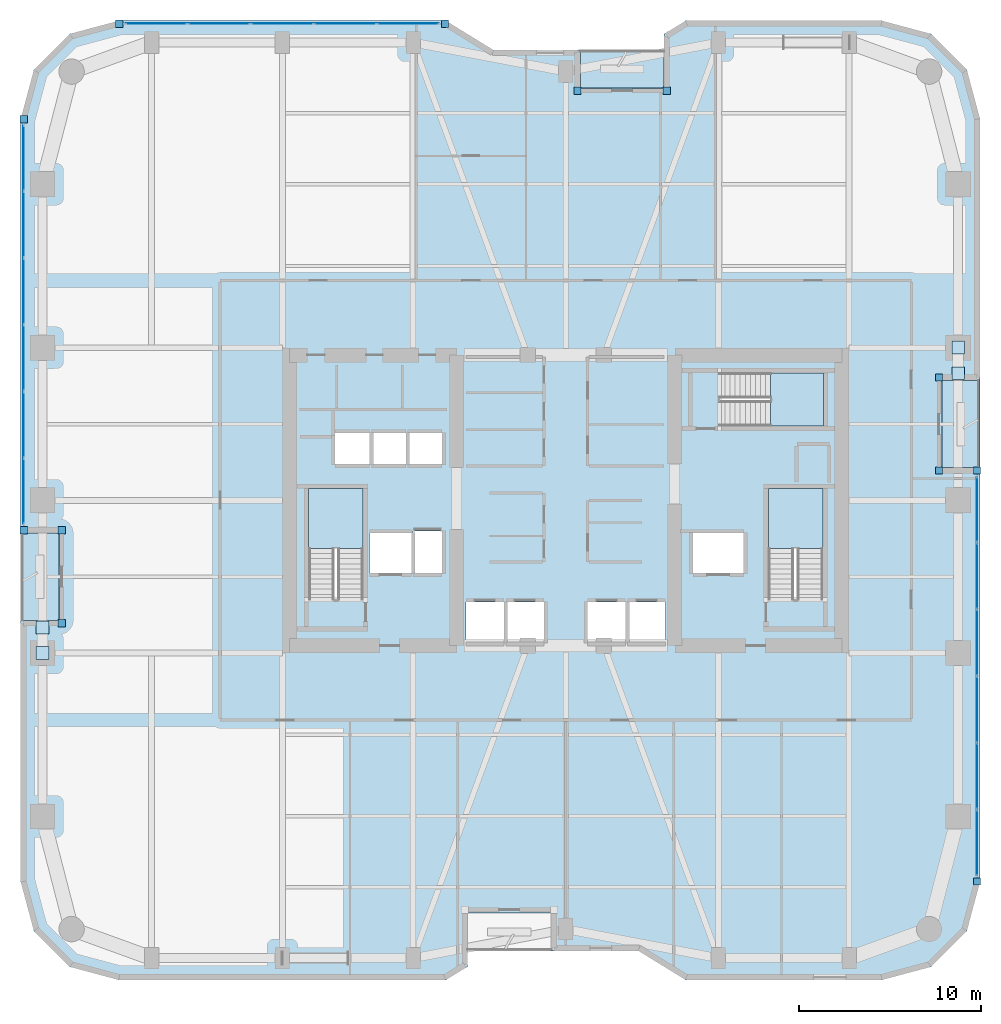
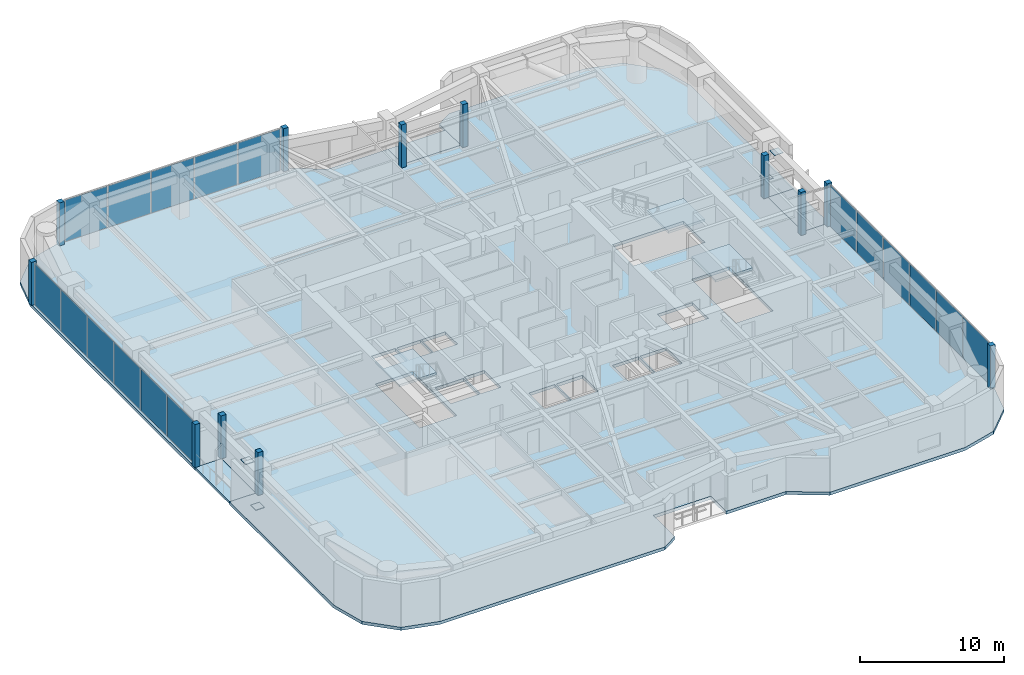
# One storey, part 16 of 24: 33 plates, 7 slabs, 6 elements without a shape of their own.
"""IFC4 building model written with IfcOpenShell, lengths in metres."""

from ifc_helpers import new_model, si_unit, direction, frame, origin, origin_2d, place, context, subcontext, project, spatial, polyline, rectangle, outline, extrude, material, layer, layer_set, type_object, element, aggregate, save


model = new_model("IFC4")

# Units and contexts
model_context = context("Model", 3, precision=1e-05, world=origin(), true_north=direction((0.0, 1.0)))
body_context = subcontext(model_context, "Body", "Model", "MODEL_VIEW")
ifc_project = project(units=[si_unit("LENGTHUNIT", "METRE"), si_unit("AREAUNIT", "SQUARE_METRE"), si_unit("VOLUMEUNIT", "CUBIC_METRE"), si_unit("PLANEANGLEUNIT", "RADIAN"), si_unit("MASSUNIT", "GRAM", prefix="KILO")], contexts=[model_context])

# Site, building, storey
site_placement = place(None, origin())
site = spatial("IfcSite", under=ifc_project, at=site_placement, CompositionType="ELEMENT")
building_placement = place(site_placement, origin())
building = spatial("IfcBuilding", under=site, at=building_placement, Name="Kiyonajd Concourse Tower", CompositionType="ELEMENT")
storey_placement = place(building_placement, frame((0.0, 0.0, 105.300048828125)))
storey = spatial("IfcBuildingStorey", under=building, at=storey_placement, Name="L27", CompositionType="ELEMENT", Elevation=105.300048828125)

# Plates
ifc_material_1 = material(Name="Steel ASTM A572 Grade 50", Category="steel")
ifc_layer_1 = layer(ifc_material_1, 0.028076171875)
ifc_layer_set_1 = layer_set([ifc_layer_1], Name="Steel ASTM A572 Grade 50")
plate_type_1 = type_object("IfcPlateType", Name="PL-CAP-450", PredefinedType="USERDEFINED", material=ifc_layer_set_1)
for number, where, z_axis, x_axis, name in (
    (1, (19.199951171875, 27.59521484375, 0.27587890625), (0.0, 0.0, 1.0), (1.0, 0.0, 0.0), "L27 Hollow Brace End Cap Plate PBW"),
    (2, (19.199951171875, 29.004638671875, 3.2861328125), (0.0, 0.0, 1.0), (1.0, 0.0, 0.0), "L27 Hollow Brace Top Cap Plate PBW"),
    (3, (69.60009765625, 44.40478515625, 0.27587890625), (0.0, 0.0, 1.0), (1.0, 0.0, 0.0), "L27 Hollow Brace End Cap Plate PBE"),
    (4, (69.60009765625, 42.995361328125, 3.2861328125), (0.0, 0.0, 1.0), (1.0, 0.0, 0.0), "L27 Hollow Brace Top Cap Plate PBE"),
):
    element("IfcPlate", number, at=place(storey_placement, frame(where, z_axis=z_axis, x_axis=x_axis)), inside=storey, type_object=plate_type_1, Name=name, ObjectType="CAP PLATE", PredefinedType="USERDEFINED", context=body_context, shape_type="SweptSolid", body=[
        extrude(rectangle(XDim=0.7099609375, YDim=0.7099609375, at=origin_2d()), origin(), (0.0, 0.0, 1.0), 0.028076171875),
    ])

# Curtain wall, plates
ifc_material_2 = material(Name="Thermally Broken Anodised Aluminium", Category="aluminium")
ifc_layer_2 = layer(ifc_material_2, 0.179931640625)
ifc_layer_set_2 = layer_set([ifc_layer_2], Name="Thermally Broken Anodised Aluminium")
curtain_wall_type = type_object("IfcCurtainWallType", Name="CW-SYS-03", PredefinedType="NOTDEFINED", material=ifc_layer_set_2)
curtain_wall_1_placement = place(storey_placement, origin())
curtain_wall_1 = element("IfcCurtainWall", 5, at=curtain_wall_1_placement, inside=storey, type_object=curtain_wall_type, Name="L27 Unitised Curtain Wall CW3", PredefinedType="NOTDEFINED")
ifc_material_3 = material(Name="Double Low-E Insulated Glass", Category="glass")
ifc_layer_3 = layer(ifc_material_3, 0.033935546875)
ifc_layer_set_3 = layer_set([ifc_layer_3], Name="Double Low-E Insulated Glass")
plate_type_2 = type_object("IfcPlateType", Name="PL-CW-VIS34", PredefinedType="CURTAIN_PANEL", material=ifc_layer_set_3)
plate_1_placement = place(storey_placement, frame((18.159912109375, 36.5029296875, 0.06494140625), z_axis=(0.0, 0.0, 1.0), x_axis=(0.0, 1.0, 0.0)))
plate_1 = element("IfcPlate", 6, at=plate_1_placement, type_object=plate_type_2, Name="CW3 panel 1.1", PredefinedType="CURTAIN_PANEL", context=body_context, shape_type="SweptSolid", body=[
    extrude(rectangle(XDim=3.57568359375, YDim=0.033935546875, at=origin_2d()), origin(), (0.0, 0.0, 1.0), 3.510009765625),
])
plate_2_placement = place(storey_placement, frame((18.159912109375, 40.15966796875, 0.06494140625), z_axis=(0.0, 0.0, 1.0), x_axis=(0.0, 1.0, 0.0)))
plate_2 = element("IfcPlate", 7, at=plate_2_placement, type_object=plate_type_2, Name="CW3 panel 2.1", PredefinedType="CURTAIN_PANEL", context=body_context, shape_type="SweptSolid", body=[
    extrude(rectangle(XDim=3.608154296875, YDim=0.033935546875, at=origin_2d()), origin(), (0.0, 0.0, 1.0), 3.510009765625),
])
plate_3_placement = place(storey_placement, frame((18.159912109375, 43.832763671875, 0.06494140625), z_axis=(0.0, 0.0, 1.0), x_axis=(0.0, 1.0, 0.0)))
plate_3 = element("IfcPlate", 8, at=plate_3_placement, type_object=plate_type_2, Name="CW3 panel 3.1", PredefinedType="CURTAIN_PANEL", context=body_context, shape_type="SweptSolid", body=[
    extrude(rectangle(XDim=3.608154296875, YDim=0.033935546875, at=origin_2d()), origin(), (0.0, 0.0, 1.0), 3.510009765625),
])
plate_4_placement = place(storey_placement, frame((18.159912109375, 47.506103515625, 0.06494140625), z_axis=(0.0, 0.0, 1.0), x_axis=(0.0, 1.0, 0.0)))
plate_4 = element("IfcPlate", 9, at=plate_4_placement, type_object=plate_type_2, Name="CW3 panel 4.1", PredefinedType="CURTAIN_PANEL", context=body_context, shape_type="SweptSolid", body=[
    extrude(rectangle(XDim=3.608154296875, YDim=0.033935546875, at=origin_2d()), origin(), (0.0, 0.0, 1.0), 3.510009765625),
])
plate_5_placement = place(storey_placement, frame((18.159912109375, 51.17919921875, 0.06494140625), z_axis=(0.0, 0.0, 1.0), x_axis=(0.0, 1.0, 0.0)))
plate_5 = element("IfcPlate", 10, at=plate_5_placement, type_object=plate_type_2, Name="CW3 panel 5.1", PredefinedType="CURTAIN_PANEL", context=body_context, shape_type="SweptSolid", body=[
    extrude(rectangle(XDim=3.608154296875, YDim=0.033935546875, at=origin_2d()), origin(), (0.0, 0.0, 1.0), 3.510009765625),
])
plate_6_placement = place(storey_placement, frame((18.159912109375, 54.836181640625, 0.06494140625), z_axis=(0.0, 0.0, 1.0), x_axis=(0.0, 1.0, 0.0)))
plate_6 = element("IfcPlate", 11, at=plate_6_placement, type_object=plate_type_2, Name="CW3 panel 6.1", PredefinedType="CURTAIN_PANEL", context=body_context, shape_type="SweptSolid", body=[
    extrude(rectangle(XDim=3.57568359375, YDim=0.033935546875, at=origin_2d()), origin(), (0.0, 0.0, 1.0), 3.510009765625),
])
aggregate(curtain_wall_1, [plate_1, plate_2, plate_3, plate_4, plate_5, plate_6])

curtain_wall_2_placement = place(storey_placement, origin())
curtain_wall_2 = element("IfcCurtainWall", 12, at=curtain_wall_2_placement, inside=storey, type_object=curtain_wall_type, Name="L27 Unitised Curtain Wall CW3", PredefinedType="NOTDEFINED")
plate_7_placement = place(storey_placement, frame((25.462646484375, 62.239990234375, 0.06494140625), z_axis=(0.0, 0.0, 1.0), x_axis=(1.0, 0.0, 0.0)))
plate_7 = element("IfcPlate", 13, at=plate_7_placement, type_object=plate_type_2, Name="CW3 panel 1.1", PredefinedType="CURTAIN_PANEL", context=body_context, shape_type="SweptSolid", body=[
    extrude(rectangle(XDim=3.373291015625, YDim=0.033935546875, at=origin_2d()), origin(), (0.0, 0.0, 1.0), 3.510009765625),
])
plate_8_placement = place(storey_placement, frame((28.917236328125, 62.239990234375, 0.06494140625), z_axis=(0.0, 0.0, 1.0), x_axis=(1.0, 0.0, 0.0)))
plate_8 = element("IfcPlate", 14, at=plate_8_placement, type_object=plate_type_2, Name="CW3 panel 2.1", PredefinedType="CURTAIN_PANEL", context=body_context, shape_type="SweptSolid", body=[
    extrude(rectangle(XDim=3.40576171875, YDim=0.033935546875, at=origin_2d()), origin(), (0.0, 0.0, 1.0), 3.510009765625),
])
plate_9_placement = place(storey_placement, frame((32.387939453125, 62.239990234375, 0.06494140625), z_axis=(0.0, 0.0, 1.0), x_axis=(1.0, 0.0, 0.0)))
plate_9 = element("IfcPlate", 15, at=plate_9_placement, type_object=plate_type_2, Name="CW3 panel 3.1", PredefinedType="CURTAIN_PANEL", context=body_context, shape_type="SweptSolid", body=[
    extrude(rectangle(XDim=3.40576171875, YDim=0.033935546875, at=origin_2d()), origin(), (0.0, 0.0, 1.0), 3.510009765625),
])
plate_10_placement = place(storey_placement, frame((35.858642578125, 62.239990234375, 0.06494140625), z_axis=(0.0, 0.0, 1.0), x_axis=(1.0, 0.0, 0.0)))
plate_10 = element("IfcPlate", 16, at=plate_10_placement, type_object=plate_type_2, Name="CW3 panel 4.1", PredefinedType="CURTAIN_PANEL", context=body_context, shape_type="SweptSolid", body=[
    extrude(rectangle(XDim=3.40576171875, YDim=0.033935546875, at=origin_2d()), origin(), (0.0, 0.0, 1.0), 3.510009765625),
])
plate_11_placement = place(storey_placement, frame((39.31298828125, 62.239990234375, 0.06494140625), z_axis=(0.0, 0.0, 1.0), x_axis=(1.0, 0.0, 0.0)))
plate_11 = element("IfcPlate", 17, at=plate_11_placement, type_object=plate_type_2, Name="CW3 panel 5.1", PredefinedType="CURTAIN_PANEL", context=body_context, shape_type="SweptSolid", body=[
    extrude(rectangle(XDim=3.373291015625, YDim=0.033935546875, at=origin_2d()), origin(), (0.0, 0.0, 1.0), 3.510009765625),
])
aggregate(curtain_wall_2, [plate_7, plate_8, plate_9, plate_10, plate_11])

curtain_wall_3_placement = place(storey_placement, origin())
curtain_wall_3 = element("IfcCurtainWall", 18, at=curtain_wall_3_placement, inside=storey, type_object=curtain_wall_type, Name="L27 Unitised Curtain Wall CW3", PredefinedType="NOTDEFINED")
plate_12_placement = place(storey_placement, frame((70.639892578125, 35.4970703125, 0.06494140625), z_axis=(0.0, 0.0, 1.0), x_axis=(0.0, -1.0, 0.0)))
plate_12 = element("IfcPlate", 19, at=plate_12_placement, type_object=plate_type_2, Name="CW3 panel 1.1", PredefinedType="CURTAIN_PANEL", context=body_context, shape_type="SweptSolid", body=[
    extrude(rectangle(XDim=3.57568359375, YDim=0.033935546875, at=origin_2d()), origin(), (0.0, 0.0, 1.0), 3.510009765625),
])
plate_13_placement = place(storey_placement, frame((70.639892578125, 31.84033203125, 0.06494140625), z_axis=(0.0, 0.0, 1.0), x_axis=(0.0, -1.0, 0.0)))
plate_13 = element("IfcPlate", 20, at=plate_13_placement, type_object=plate_type_2, Name="CW3 panel 2.1", PredefinedType="CURTAIN_PANEL", context=body_context, shape_type="SweptSolid", body=[
    extrude(rectangle(XDim=3.608154296875, YDim=0.033935546875, at=origin_2d()), origin(), (0.0, 0.0, 1.0), 3.510009765625),
])
plate_14_placement = place(storey_placement, frame((70.639892578125, 28.167236328125, 0.06494140625), z_axis=(0.0, 0.0, 1.0), x_axis=(0.0, -1.0, 0.0)))
plate_14 = element("IfcPlate", 21, at=plate_14_placement, type_object=plate_type_2, Name="CW3 panel 3.1", PredefinedType="CURTAIN_PANEL", context=body_context, shape_type="SweptSolid", body=[
    extrude(rectangle(XDim=3.608154296875, YDim=0.033935546875, at=origin_2d()), origin(), (0.0, 0.0, 1.0), 3.510009765625),
])
plate_15_placement = place(storey_placement, frame((70.639892578125, 24.493896484375, 0.06494140625), z_axis=(0.0, 0.0, 1.0), x_axis=(0.0, -1.0, 0.0)))
plate_15 = element("IfcPlate", 22, at=plate_15_placement, type_object=plate_type_2, Name="CW3 panel 4.1", PredefinedType="CURTAIN_PANEL", context=body_context, shape_type="SweptSolid", body=[
    extrude(rectangle(XDim=3.608154296875, YDim=0.033935546875, at=origin_2d()), origin(), (0.0, 0.0, 1.0), 3.510009765625),
])
plate_16_placement = place(storey_placement, frame((70.639892578125, 20.82080078125, 0.06494140625), z_axis=(0.0, 0.0, 1.0), x_axis=(0.0, -1.0, 0.0)))
plate_16 = element("IfcPlate", 23, at=plate_16_placement, type_object=plate_type_2, Name="CW3 panel 5.1", PredefinedType="CURTAIN_PANEL", context=body_context, shape_type="SweptSolid", body=[
    extrude(rectangle(XDim=3.608154296875, YDim=0.033935546875, at=origin_2d()), origin(), (0.0, 0.0, 1.0), 3.510009765625),
])
plate_17_placement = place(storey_placement, frame((70.639892578125, 17.163818359375, 0.06494140625), z_axis=(0.0, 0.0, 1.0), x_axis=(0.0, -1.0, 0.0)))
plate_17 = element("IfcPlate", 24, at=plate_17_placement, type_object=plate_type_2, Name="CW3 panel 6.1", PredefinedType="CURTAIN_PANEL", context=body_context, shape_type="SweptSolid", body=[
    extrude(rectangle(XDim=3.57568359375, YDim=0.033935546875, at=origin_2d()), origin(), (0.0, 0.0, 1.0), 3.510009765625),
])
aggregate(curtain_wall_3, [plate_12, plate_13, plate_14, plate_15, plate_16, plate_17])

# Plates
ifc_layer_4 = layer(ifc_material_2, 0.39990234375)
ifc_layer_set_4 = layer_set([ifc_layer_4], Name="Thermally Broken Anodised Aluminium")
plate_type_3 = type_object("IfcPlateType", Name="PL-JMB-400", PredefinedType="USERDEFINED", material=ifc_layer_set_4)
for number, where, z_axis, x_axis, name in (
    (25, (20.260009765625, 29.239990234375, 0.0), (0.0, 0.0, 1.0), (1.0, 0.0, 0.0), "L27 Facade Jamb Closure Plate 01"),
    (26, (20.260009765625, 34.360107421875, 0.0), (0.0, 0.0, 1.0), (1.0, 0.0, 0.0), "L27 Facade Jamb Closure Plate 02"),
    (27, (18.159912109375, 34.360107421875, 0.0), (0.0, 0.0, 1.0), (1.0, 0.0, 0.0), "L27 Facade Jamb Closure Plate 03"),
    (28, (18.159912109375, 56.97900390625, 0.0), (0.0, 0.0, 1.0), (1.0, 0.0, 0.0), "L27 Facade Jamb Closure Plate 04"),
    (29, (23.421142578125, 62.239990234375, 0.0), (0.0, 0.0, 1.0), (1.0, 0.0, 0.0), "L27 Facade Jamb Closure Plate 05"),
    (30, (41.354736328125, 62.239990234375, 0.0), (0.0, 0.0, 1.0), (1.0, 0.0, 0.0), "L27 Facade Jamb Closure Plate 06"),
    (31, (48.639892578125, 58.5400390625, 0.0), (0.0, 0.0, 1.0), (1.0, 0.0, 0.0), "L27 Facade Jamb Closure Plate 07"),
    (32, (53.56005859375, 58.5400390625, 0.0), (0.0, 0.0, 1.0), (1.0, 0.0, 0.0), "L27 Facade Jamb Closure Plate 08"),
    (33, (68.5400390625, 42.760009765625, 0.0), (0.0, 0.0, 1.0), (1.0, 0.0, 0.0), "L27 Facade Jamb Closure Plate 09"),
    (34, (68.5400390625, 37.639892578125, 0.0), (0.0, 0.0, 1.0), (1.0, 0.0, 0.0), "L27 Facade Jamb Closure Plate 10"),
    (35, (70.639892578125, 37.639892578125, 0.0), (0.0, 0.0, 1.0), (1.0, 0.0, 0.0), "L27 Facade Jamb Closure Plate 11"),
    (36, (70.639892578125, 15.02099609375, 0.0), (0.0, 0.0, 1.0), (1.0, 0.0, 0.0), "L27 Facade Jamb Closure Plate 12"),
):
    element("IfcPlate", number, at=place(storey_placement, frame(where, z_axis=z_axis, x_axis=x_axis)), inside=storey, type_object=plate_type_3, Name=name, ObjectType="JAMB PLATE", PredefinedType="USERDEFINED", context=body_context, shape_type="SweptSolid", body=[
        extrude(rectangle(XDim=0.39990234375, YDim=0.39990234375, at=origin_2d()), origin(), (0.0, 0.0, 1.0), 3.639892578125),
    ])

# Stair, slab
ifc_material_4 = material(Name="Concrete C40/50", Category="concrete")
stair_type = type_object("IfcStairType", Name="ST-DLG-22R", PredefinedType="HALF_TURN_STAIR", material=ifc_material_4)
stair_1_placement = place(storey_placement, origin())
stair_1 = element("IfcStair", 37, at=stair_1_placement, inside=storey, type_object=stair_type, Name="L27 Protected Exit Stair ST1", PredefinedType="HALF_TURN_STAIR")
ifc_layer_5 = layer(ifc_material_4, 0.199951171875)
ifc_layer_set_5 = layer_set([ifc_layer_5], Name="Concrete C40/50")
slab_type_1 = type_object("IfcSlabType", Name="SL-LND-200", PredefinedType="LANDING", material=ifc_layer_set_5)
slab_1_placement = place(storey_placement, frame((0.0, 0.0, 1.75)))
slab_1 = element("IfcSlab", 38, at=slab_1_placement, type_object=slab_type_1, Name="ST1 landing 1", PredefinedType="LANDING", context=body_context, shape_type="SweptSolid", body=[
    extrude(outline(polyline([(36.85009765625, 33.35009765625), (36.85009765625, 36.64990234375), (33.85009765625, 36.64990234375), (33.85009765625, 33.35009765625), (36.85009765625, 33.35009765625)])), origin(), (0.0, 0.0, 1.0), 0.199951171875),
])
aggregate(stair_1, [slab_1])

stair_2_placement = place(storey_placement, origin())
stair_2 = element("IfcStair", 39, at=stair_2_placement, inside=storey, type_object=stair_type, Name="L27 Protected Exit Stair ST2", PredefinedType="HALF_TURN_STAIR")
slab_2_placement = place(storey_placement, frame((0.0, 0.0, 1.75)))
slab_2 = element("IfcSlab", 40, at=slab_2_placement, type_object=slab_type_1, Name="ST2 landing 1", PredefinedType="LANDING", context=body_context, shape_type="SweptSolid", body=[
    extrude(outline(polyline([(62.14990234375, 33.35009765625), (62.14990234375, 36.64990234375), (59.14990234375, 36.64990234375), (59.14990234375, 33.35009765625), (62.14990234375, 33.35009765625)])), origin(), (0.0, 0.0, 1.0), 0.199951171875),
])
aggregate(stair_2, [slab_2])

stair_3_placement = place(storey_placement, origin())
stair_3 = element("IfcStair", 41, at=stair_3_placement, inside=storey, type_object=stair_type, Name="L27 Protected Exit Stair ST3", PredefinedType="HALF_TURN_STAIR")
slab_3_placement = place(storey_placement, frame((0.0, 0.0, 1.75)))
slab_3 = element("IfcSlab", 42, at=slab_3_placement, type_object=slab_type_1, Name="ST3 landing 1", PredefinedType="LANDING", context=body_context, shape_type="SweptSolid", body=[
    extrude(outline(polyline([(59.280029296875, 40.080078125), (62.179931640625, 40.080078125), (62.179931640625, 43.02001953125), (59.280029296875, 43.02001953125), (59.280029296875, 40.080078125)])), origin(), (0.0, 0.0, 1.0), 0.199951171875),
])
aggregate(stair_3, [slab_3])

# Slabs
ifc_material_5 = material(Name="Precast concrete C50/60", Category="concrete")
ifc_layer_6 = layer(ifc_material_5, 0.199951171875)
ifc_layer_set_6 = layer_set([ifc_layer_6], Name="Precast concrete C50/60")
slab_type_2 = type_object("IfcSlabType", Name="SL-LOG-200", PredefinedType="FLOOR", material=ifc_layer_set_6)
slab_4_placement = place(storey_placement, frame((0.0, 0.0, -0.199951171875)))
element("IfcSlab", 43, at=slab_4_placement, inside=storey, type_object=slab_type_2, Name="L27 Recessed Engawa Loggia Terrace Slab LOG-N", PredefinedType="FLOOR", context=body_context, shape_type="SweptSolid", body=[
    extrude(outline(polyline([(48.800048828125, 58.699951171875), (53.39990234375, 58.699951171875), (53.39990234375, 60.800048828125), (48.800048828125, 60.800048828125), (48.800048828125, 58.699951171875)])), origin(), (0.0, 0.0, 1.0), 0.199951171875),
])
slab_5_placement = place(storey_placement, frame((0.0, 0.0, -0.199951171875)))
element("IfcSlab", 44, at=slab_5_placement, inside=storey, type_object=slab_type_2, Name="L27 Recessed Engawa Loggia Terrace Slab LOG-W", PredefinedType="FLOOR", context=body_context, shape_type="SweptSolid", body=[
    extrude(outline(polyline([(18.0, 29.39990234375), (20.10009765625, 29.39990234375), (20.10009765625, 34.199951171875), (18.0, 34.199951171875), (18.0, 29.39990234375)])), origin(), (0.0, 0.0, 1.0), 0.199951171875),
])
slab_6_placement = place(storey_placement, frame((0.0, 0.0, -0.199951171875)))
element("IfcSlab", 45, at=slab_6_placement, inside=storey, type_object=slab_type_2, Name="L27 Recessed Engawa Loggia Terrace Slab LOG-E", PredefinedType="FLOOR", context=body_context, shape_type="SweptSolid", body=[
    extrude(outline(polyline([(68.699951171875, 37.800048828125), (70.800048828125, 37.800048828125), (70.800048828125, 42.60009765625), (68.699951171875, 42.60009765625), (68.699951171875, 37.800048828125)])), origin(), (0.0, 0.0, 1.0), 0.199951171875),
])
ifc_layer_7 = layer(ifc_material_4, 0.260009765625)
ifc_layer_set_7 = layer_set([ifc_layer_7], Name="Concrete C40/50")
slab_type_3 = type_object("IfcSlabType", Name="SL-TWR-260", PredefinedType="FLOOR", material=ifc_layer_set_7)
slab_7_placement = place(storey_placement, frame((0.0, 0.0, -0.260009765625)))
element("IfcSlab", 46, at=slab_7_placement, inside=storey, type_object=slab_type_3, Name="L27 Tower Conditioned Floor Slab", PredefinedType="FLOOR", context=body_context, shape_type="SweptSolid", body=[
    extrude(outline(polyline([(18.722900390625, 12.300048828125), (18.0, 15.0), (18.0, 29.39990234375), (20.10009765625, 29.39990234375), (20.10009765625, 34.199951171875), (18.0, 34.199951171875), (18.0, 57.0), (18.722900390625, 59.699951171875), (20.699951171875, 61.677001953125), (23.39990234375, 62.39990234375), (41.39990234375, 62.39990234375), (44.0, 60.800048828125), (48.800048828125, 60.800048828125), (48.800048828125, 58.699951171875), (53.39990234375, 58.699951171875), (53.39990234375, 61.662109375), (54.60009765625, 62.39990234375), (65.39990234375, 62.39990234375), (68.10009765625, 61.677001953125), (70.076904296875, 59.699951171875), (70.800048828125, 57.0), (70.800048828125, 42.60009765625), (68.699951171875, 42.60009765625), (68.699951171875, 37.800048828125), (70.800048828125, 37.800048828125), (70.800048828125, 15.0), (70.076904296875, 12.300048828125), (68.10009765625, 10.322998046875), (65.39990234375, 9.60009765625), (54.60009765625, 9.60009765625), (52.0, 11.199951171875), (47.199951171875, 11.199951171875), (47.199951171875, 13.300048828125), (42.60009765625, 13.300048828125), (42.60009765625, 10.337890625), (41.39990234375, 9.60009765625), (23.39990234375, 9.60009765625), (20.699951171875, 10.322998046875), (18.722900390625, 12.300048828125)]), holes=[polyline([(44.60009765625, 28.199951171875), (42.5, 28.199951171875), (42.5, 30.39990234375), (44.60009765625, 30.39990234375), (44.60009765625, 28.199951171875)]), polyline([(37.199951171875, 32.0), (37.199951171875, 34.199951171875), (39.5, 34.199951171875), (39.5, 32.0), (37.199951171875, 32.0)]), polyline([(39.60009765625, 32.0), (39.60009765625, 34.300048828125), (41.199951171875, 34.300048828125), (41.199951171875, 32.0), (39.60009765625, 32.0)]), polyline([(36.85009765625, 30.550048828125), (33.85009765625, 30.550048828125), (33.85009765625, 36.64990234375), (36.85009765625, 36.64990234375), (36.85009765625, 30.550048828125)]), polyline([(35.300048828125, 38.0), (35.300048828125, 39.699951171875), (37.199951171875, 39.699951171875), (37.199951171875, 38.0), (35.300048828125, 38.0)]), polyline([(37.300048828125, 38.0), (37.300048828125, 39.699951171875), (39.199951171875, 39.699951171875), (39.199951171875, 38.0), (37.300048828125, 38.0)]), polyline([(41.199951171875, 38.0), (39.300048828125, 38.0), (39.300048828125, 39.699951171875), (41.199951171875, 39.699951171875), (41.199951171875, 38.0)]), polyline([(44.699951171875, 28.199951171875), (44.699951171875, 30.39990234375), (46.800048828125, 30.39990234375), (46.800048828125, 28.199951171875), (44.699951171875, 28.199951171875)]), polyline([(49.199951171875, 28.199951171875), (49.199951171875, 30.39990234375), (51.300048828125, 30.39990234375), (51.300048828125, 28.199951171875), (49.199951171875, 28.199951171875)]), polyline([(51.39990234375, 28.199951171875), (51.39990234375, 30.39990234375), (53.5, 30.39990234375), (53.5, 28.199951171875), (51.39990234375, 28.199951171875)]), polyline([(55.0, 32.0), (55.0, 34.199951171875), (57.800048828125, 34.199951171875), (57.800048828125, 32.0), (55.0, 32.0)]), polyline([(59.14990234375, 30.550048828125), (59.14990234375, 36.64990234375), (62.14990234375, 36.64990234375), (62.14990234375, 30.550048828125), (59.14990234375, 30.550048828125)]), polyline([(56.47998046875, 43.02001953125), (62.179931640625, 43.02001953125), (62.179931640625, 40.080078125), (56.47998046875, 40.080078125), (56.47998046875, 43.02001953125)])]), origin(), (0.0, 0.0, 1.0), 0.260009765625),
])

save(model, "model.ifc")
